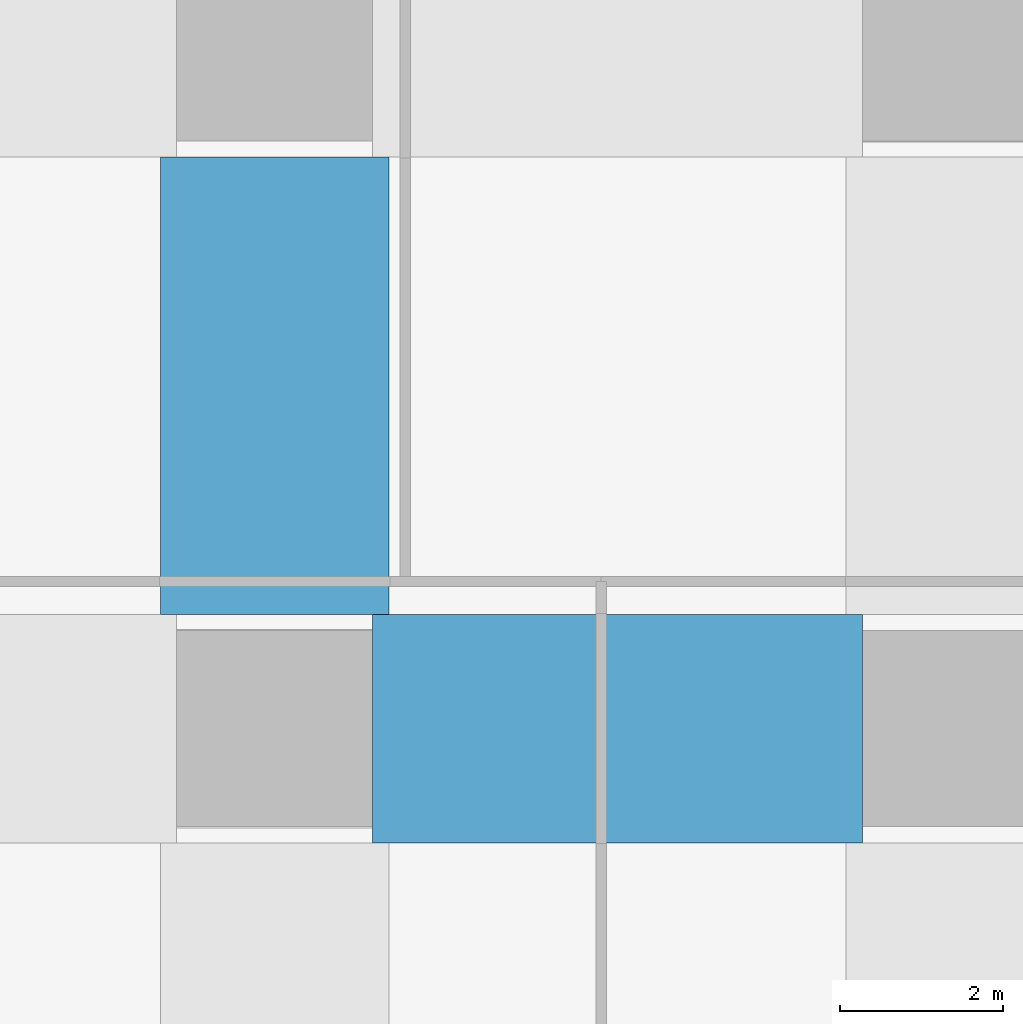
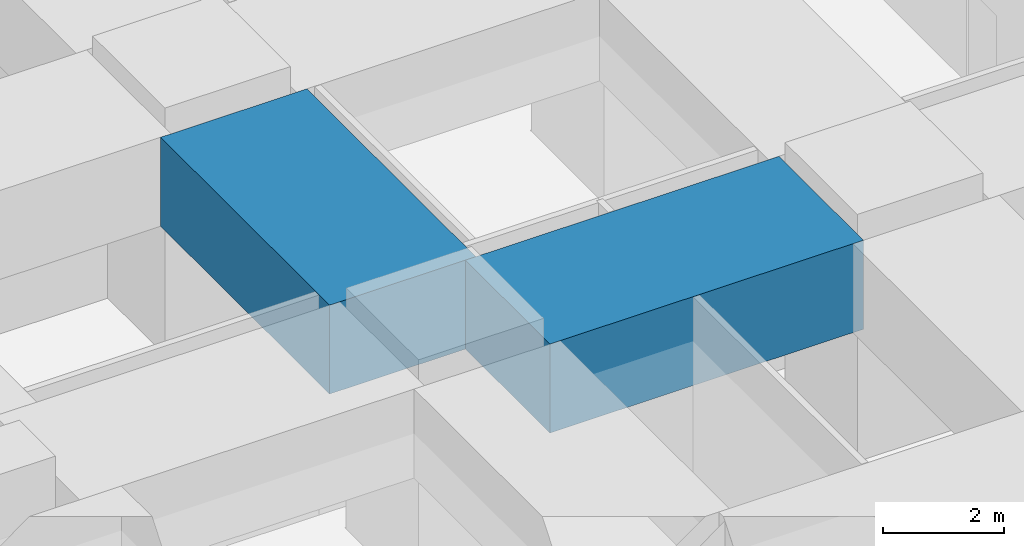
# One storey, part 10 of 52: 2 beams.
"""IFC4 building model written with IfcOpenShell, lengths in metres."""

from ifc_helpers import new_model, si_unit, direction, frame, origin, origin_2d, place, context, subcontext, project, spatial, rectangle, extrude, material, material_profile, profile_set, type_object, element, save


model = new_model("IFC4")

# Units and contexts
model_context = context("Model", 3, precision=1e-05, world=origin(), true_north=direction((0.0, 1.0)))
body_context = subcontext(model_context, "Body", "Model", "MODEL_VIEW")
ifc_project = project(units=[si_unit("LENGTHUNIT", "METRE"), si_unit("AREAUNIT", "SQUARE_METRE"), si_unit("VOLUMEUNIT", "CUBIC_METRE"), si_unit("PLANEANGLEUNIT", "RADIAN"), si_unit("MASSUNIT", "GRAM", prefix="KILO")], contexts=[model_context])

# Site, building, storey
site_placement = place(None, origin())
site = spatial("IfcSite", under=ifc_project, at=site_placement, CompositionType="ELEMENT")
building_placement = place(site_placement, origin())
building = spatial("IfcBuilding", under=site, at=building_placement, Name="Rekha Terrace Tower", CompositionType="ELEMENT")
storey_placement = place(building_placement, frame((0.0, 0.0, 20.39990234375)))
storey = spatial("IfcBuildingStorey", under=building, at=storey_placement, Name="L04", CompositionType="ELEMENT", Elevation=20.39990234375)

# Beams
ifc_material = material(Name="Concrete M70", Category="concrete")
ifc_material_profile = material_profile(ifc_material, rectangle(XDim=2.800048828125, YDim=1.800048828125, at=origin_2d()), Name="RC 2800x1800")
ifc_profile_set = profile_set([ifc_material_profile], Name="Concrete M70")
beam_type = type_object("IfcBeamType", Name="G2 2800x1800 podium roof band beam", PredefinedType="BEAM", material=ifc_profile_set)
beam_1_placement = place(storey_placement, frame((9.60009765625, 16.800048828125, 3.7001953125), z_axis=(1.0, 0.0, 0.0), x_axis=(0.0, 1.0, 0.0)))
element("IfcBeam", 1, at=beam_1_placement, inside=storey, type_object=beam_type, Name="Beam G2 2C-3C under L05", PredefinedType="BEAM", context=body_context, shape_type="SweptSolid", body=[
    extrude(rectangle(XDim=2.800048828125, YDim=1.800048828125, at=origin_2d()), origin(), (0.0, 0.0, 1.0), 6.0),
])
beam_2_placement = place(storey_placement, frame((8.39990234375, 18.199951171875, 3.7001953125), z_axis=(0.0, 1.0, 0.0), x_axis=(-1.0, 0.0, 0.0)))
element("IfcBeam", 2, at=beam_2_placement, inside=storey, type_object=beam_type, Name="Beam G2 2C-2D under L05", PredefinedType="BEAM", context=body_context, shape_type="SweptSolid", body=[
    extrude(rectangle(XDim=2.800048828125, YDim=1.800048828125, at=origin_2d()), origin(), (0.0, 0.0, 1.0), 5.60009765625),
])

save(model, "model.ifc")
